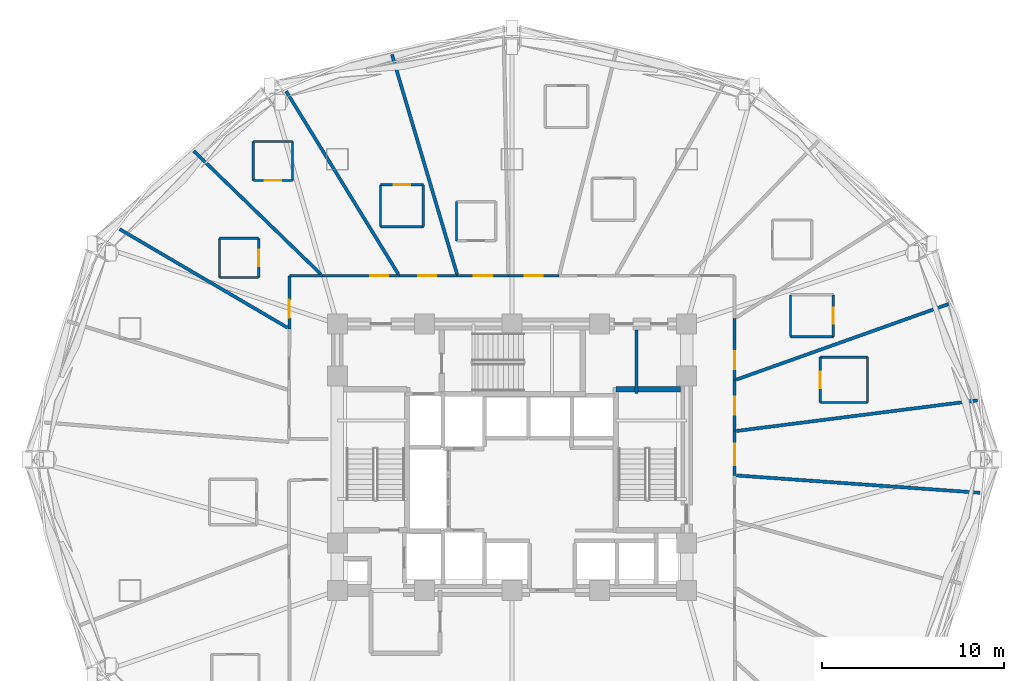
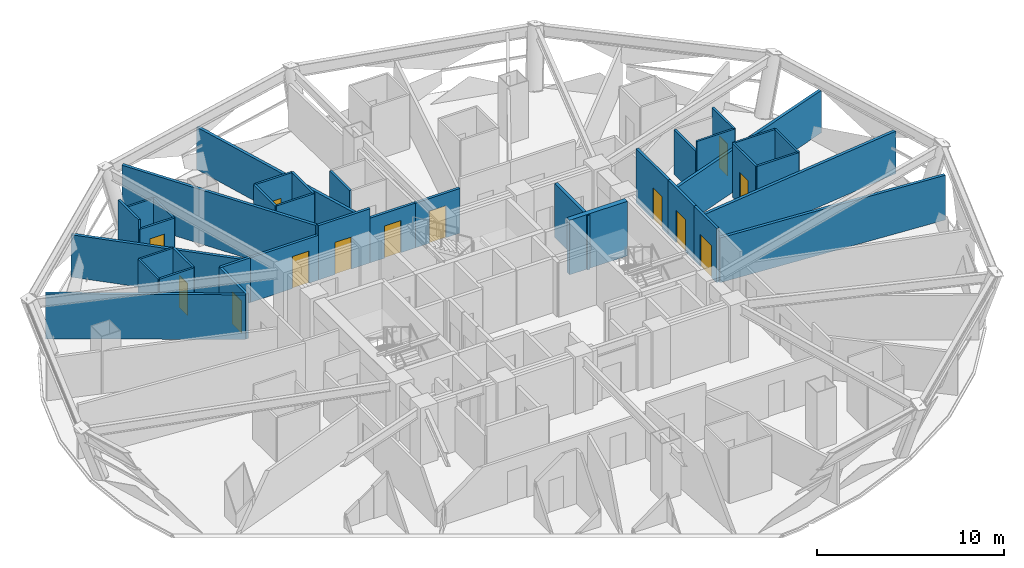
# One storey, part 7 of 12: 38 walls, 13 doors, 13 openings.
"""IFC4 building model written with IfcOpenShell, lengths in metres."""

import ifcopenshell
import ifcopenshell.guid

model = None  # the IFC model being written
_history = None  # IfcOwnerHistory: only IFC2X3 demands one
_inside = {}  # id of a spatial element -> (the spatial element, [elements in it])
_under = {}  # id of a project, library or spatial element -> (it, [spatial elements below it])
_declared = {}  # id of a project -> (the project, [libraries it declares])
_typed = {}  # id of a type object -> (the type object, [elements of that type])
_made_of = {}  # id of a material, layer set ... -> (it, [elements and type objects made of it])


def new_model(schema):
    """Start an empty IFC model of exactly this schema.

    Asked for "IFC4X3", IfcOpenShell would pick the latest addendum, in which some entities
    have other attributes; the version numbers below select the first issue.
    IFC2X3 requires an IfcOwnerHistory on every rooted entity: one is made here for all.
    """
    global model, _history
    if schema == "IFC4X3":
        model = ifcopenshell.file(schema_version=(4, 3, 0, 0))
    else:
        model = ifcopenshell.file(schema=schema)
    _inside.clear()
    _under.clear()
    _declared.clear()
    _typed.clear()
    _made_of.clear()
    _history = None
    if model.schema == "IFC2X3":
        org = make("IfcOrganization", Name="unknown")
        user = make(
            "IfcPersonAndOrganization",
            ThePerson=make("IfcPerson", FamilyName="unknown"),
            TheOrganization=org,
        )
        app = make(
            "IfcApplication",
            ApplicationDeveloper=org,
            Version="unknown",
            ApplicationFullName="unknown",
            ApplicationIdentifier="unknown",
        )
        _history = make(
            "IfcOwnerHistory",
            OwningUser=user,
            OwningApplication=app,
            ChangeAction="ADDED",
            CreationDate=0,
        )
    return model


def make(cls, **values):
    """One entity of the class cls with the attributes given. An attribute that is None is left unset."""
    return model.create_entity(
        cls, **{name: value for name, value in values.items() if value is not None}
    )


def rooted(cls, **values):
    """An entity with a GlobalId (a new one), such as an element, a storey or a relation."""
    return make(cls, GlobalId=ifcopenshell.guid.new(), OwnerHistory=_history, **values)


def si_unit(unit_type, name, prefix=None):
    """IfcSIUnit, for example si_unit("LENGTHUNIT", "METRE", prefix="MILLI")."""
    return make("IfcSIUnit", UnitType=unit_type, Prefix=prefix, Name=name)


def assignment(units):
    """IfcUnitAssignment: the units of a project."""
    return None if units is None else make("IfcUnitAssignment", Units=units)


def point(xyz):
    """IfcCartesianPoint."""
    return None if xyz is None else make("IfcCartesianPoint", Coordinates=xyz)


def direction(xyz):
    """IfcDirection."""
    return None if xyz is None else make("IfcDirection", DirectionRatios=xyz)


def frame(location, z_axis=None, x_axis=None):
    """IfcAxis2Placement3D, a coordinate frame: its origin and axes. An axis left out is left unset."""
    return make(
        "IfcAxis2Placement3D",
        Location=point(location),
        Axis=direction(z_axis),
        RefDirection=direction(x_axis),
    )


def frame_2d(location, x_axis=None):
    """IfcAxis2Placement2D, a coordinate frame in the plane: its origin and x axis."""
    return make(
        "IfcAxis2Placement2D", Location=point(location), RefDirection=direction(x_axis)
    )


def origin():
    """The frame at (0, 0, 0) with its axes left unset."""
    return frame((0.0, 0.0, 0.0))


def place(relative_to, where):
    """IfcLocalPlacement: puts the frame where relative to a parent placement (None: the world)."""
    return make(
        "IfcLocalPlacement", PlacementRelTo=relative_to, RelativePlacement=where
    )


def context(
    kind, dimensions, precision=None, world=None, true_north=None, identifier=None
):
    """IfcGeometricRepresentationContext, for example the 3D "Model" context."""
    return make(
        "IfcGeometricRepresentationContext",
        ContextIdentifier=identifier,
        ContextType=kind,
        CoordinateSpaceDimension=dimensions,
        Precision=precision,
        WorldCoordinateSystem=world,
        TrueNorth=true_north,
    )


def subcontext(parent, identifier, kind, view, scale=None):
    """IfcGeometricRepresentationSubContext, for example "Body" below "Model"."""
    return make(
        "IfcGeometricRepresentationSubContext",
        ContextIdentifier=identifier,
        ContextType=kind,
        ParentContext=parent,
        TargetScale=scale,
        TargetView=view,
    )


def project(units=None, contexts=None):
    """IfcProject with its units and contexts."""
    return rooted(
        "IfcProject",
        Name="project",
        RepresentationContexts=contexts,
        UnitsInContext=assignment(units),
    )


def spatial(cls, under=None, at=None, **own):
    """A site, building, storey or space (cls), placed at a placement, below another one or the project."""
    s = rooted(cls, ObjectPlacement=at, **own)
    if under is not None:
        _under.setdefault(under.id(), (under, []))[1].append(s)
    return s


def profile(cls, at=None, kind="AREA", **sizes):
    """A parametric profile (cls). Its sizes go by their IFC names, for example OverallWidth=200.0."""
    return make(cls, ProfileType=kind, Position=at, **sizes)


def rectangle(**sizes):
    """IfcRectangleProfileDef."""
    return profile("IfcRectangleProfileDef", **sizes)


def extrude(swept, where, along, depth):
    """IfcExtrudedAreaSolid: the profile swept, set in the frame where, extruded along a direction by depth."""
    return make(
        "IfcExtrudedAreaSolid",
        SweptArea=swept,
        Position=where,
        ExtrudedDirection=direction(along),
        Depth=depth,
    )


def shape(context_of_items, identifier, shape_type, items):
    """IfcShapeRepresentation: the items that make up one representation, for example the "Body"."""
    return make(
        "IfcShapeRepresentation",
        ContextOfItems=context_of_items,
        RepresentationIdentifier=identifier,
        RepresentationType=shape_type,
        Items=items,
    )


def material(Name=None, Category=None):
    """IfcMaterial."""
    return make("IfcMaterial", Name=Name, Category=Category)


def layer(
    of_material, thickness, ventilated=None, Name=None, Category=None, Priority=None
):
    """IfcMaterialLayer: one layer of a wall or slab, of a material (None: an air gap)."""
    return make(
        "IfcMaterialLayer",
        Material=of_material,
        LayerThickness=thickness,
        IsVentilated=ventilated,
        Name=Name,
        Category=Category,
        Priority=Priority,
    )


def layer_set(layers, Name=None):
    """IfcMaterialLayerSet."""
    return make("IfcMaterialLayerSet", MaterialLayers=layers, LayerSetName=Name)


def made_of(thing, what):
    """Note that an element or type object is made of a material, layer set ...; save() writes the relation."""
    if what is not None:
        _made_of.setdefault(what.id(), (what, []))[1].append(thing)
    return thing


def type_object(cls, material=None, **own):
    """A type object (cls), such as IfcWallType, which elements share."""
    return made_of(rooted(cls, **own), material)


def element(
    cls,
    number,
    at=None,
    inside=None,
    cuts=None,
    type_object=None,
    material=None,
    context=None,
    identifier="Body",
    shape_type=None,
    held_by="IfcProductDefinitionShape",
    body=None,
    shapes=None,
    **own,
):
    """One element of the class cls, such as IfcWall. Its Tag is "e" and its number.

    at: its placement. inside: the storey or other place that contains it. cuts: it is an
    opening in that element (IfcRelVoidsElement). A single representation is given by context,
    identifier, shape_type and body (its items); several are given by shapes. held_by: the class
    of the entity that holds the representations. save() writes the other relations.
    """
    e = rooted(cls, Tag="e%d" % number, ObjectPlacement=at, **own)
    if body is not None:
        shapes = [shape(context, identifier, shape_type, body)]
    if shapes is not None:
        e.Representation = make(held_by, Representations=shapes)
    if inside is not None:
        _inside.setdefault(inside.id(), (inside, []))[1].append(e)
    if cuts is not None:
        rooted(
            "IfcRelVoidsElement", RelatingBuildingElement=cuts, RelatedOpeningElement=e
        )
    if type_object is not None:
        _typed.setdefault(type_object.id(), (type_object, []))[1].append(e)
    return made_of(e, material)


def fill(opening, filler):
    """IfcRelFillsElement: the door or window that sits in an opening."""
    return rooted(
        "IfcRelFillsElement",
        RelatingOpeningElement=opening,
        RelatedBuildingElement=filler,
    )


def aggregate(whole, parts):
    """IfcRelAggregates: a whole, such as a stair, and the parts it consists of."""
    return rooted("IfcRelAggregates", RelatingObject=whole, RelatedObjects=parts)


def save(model, path):
    """Write the relations noted so far, then the file.

    IfcRelAggregates (storeys below a building ...), IfcRelContainedInSpatialStructure (elements
    in a storey), IfcRelDefinesByType, IfcRelAssociatesMaterial and IfcRelDeclares: one each for
    every whole, place, type object, material and project.
    """
    for whole, parts in _under.values():
        aggregate(whole, parts)
    for where, things in _inside.values():
        rooted(
            "IfcRelContainedInSpatialStructure",
            RelatedElements=things,
            RelatingStructure=where,
        )
    for kind, things in _typed.values():
        rooted("IfcRelDefinesByType", RelatedObjects=things, RelatingType=kind)
    for what, things in _made_of.values():
        rooted("IfcRelAssociatesMaterial", RelatedObjects=things, RelatingMaterial=what)
    for by, libraries in _declared.values():
        rooted("IfcRelDeclares", RelatingContext=by, RelatedDefinitions=libraries)
    model.write(path)


model = new_model("IFC4")

# Units and contexts
model_context = context("Model", 3, precision=1e-05, world=origin(), true_north=direction((0.0, 1.0)))
body_context = subcontext(model_context, "Body", "Model", "MODEL_VIEW")
ifc_project = project(units=[si_unit("LENGTHUNIT", "METRE"), si_unit("AREAUNIT", "SQUARE_METRE"), si_unit("VOLUMEUNIT", "CUBIC_METRE"), si_unit("PLANEANGLEUNIT", "RADIAN"), si_unit("MASSUNIT", "GRAM", prefix="KILO")], contexts=[model_context])

# Site, building, storey
site_placement = place(None, origin())
site = spatial("IfcSite", under=ifc_project, at=site_placement, CompositionType="ELEMENT")
building_placement = place(site_placement, origin())
building = spatial("IfcBuilding", under=site, at=building_placement, Name="Vantalir Tower", CompositionType="ELEMENT")
storey_placement = place(building_placement, frame((0.0, 0.0, 38.25)))
storey = spatial("IfcBuildingStorey", under=building, at=storey_placement, Name="L08", CompositionType="ELEMENT", Elevation=38.25)

# Walls
ifc_material_1 = material(Name="Moisture-resistant en-suite partition", Category="gypsum")
ifc_layer_1 = layer(ifc_material_1, 0.125)
ifc_layer_set_1 = layer_set([ifc_layer_1], Name="Moisture-resistant en-suite partition")
wall_type_1 = type_object("IfcWallType", Name="WL-BATH-125", PredefinedType="PARTITIONING", material=ifc_layer_set_1)
for number, where, z_axis, x_axis, name in (
    (1, (48.445068359375, 28.1259765625, 0.0), (0.0, 0.0, 1.0), (1.0, 0.0, 0.0), "L08 En-suite 01 South Wall"),
    (2, (48.445068359375, 30.6259765625, 0.0), (0.0, 0.0, 1.0), (1.0, 0.0, 0.0), "L08 En-suite 01 North Wall"),
):
    element("IfcWall", number, at=place(storey_placement, frame(where, z_axis=z_axis, x_axis=x_axis)), inside=storey, type_object=wall_type_1, Name=name, PredefinedType="PARTITIONING", context=body_context, shape_type="SweptSolid", body=[
        extrude(rectangle(XDim=2.599853515625, YDim=0.125, at=frame_2d((1.2998046875, 0.0))), origin(), (0.0, 0.0, 1.0), 3.550048828125),
    ])

# Wall, opening, door
wall_1_placement = place(storey_placement, frame((48.445068359375, 28.1259765625, 0.0), z_axis=(0.0, 0.0, 1.0), x_axis=(0.0, 1.0, 0.0)))
wall_1 = element("IfcWall", 3, at=wall_1_placement, inside=storey, type_object=wall_type_1, Name="L08 En-suite 01 West Wall", PredefinedType="PARTITIONING", context=body_context, shape_type="SweptSolid", body=[
    extrude(rectangle(XDim=2.5, YDim=0.125, at=frame_2d((1.25, 0.0))), origin(), (0.0, 0.0, 1.0), 3.550048828125),
])
opening_1_placement = place(wall_1_placement, frame((0.800048828125, 0.0, 0.0)))
opening_1 = element("IfcOpeningElement", 4, at=opening_1_placement, cuts=wall_1, Name="Opening D-WC", PredefinedType="OPENING", context=body_context, shape_type="SweptSolid", body=[
    extrude(rectangle(XDim=0.89990234375, YDim=2.10009765625, at=frame_2d((0.449951171875, 1.050048828125))), frame((0.0, 0.072509765625, 0.0), z_axis=(0.0, -1.0, 0.0), x_axis=(1.0, 0.0, 0.0)), (0.0, 0.0, 1.0), 0.14501953125),
])
ifc_material_2 = material(Name="Moisture-resistant hardwood door", Category="wood")
door_type_1 = type_object("IfcDoorType", Name="DR-ENSUITE-900", OperationType="NOTDEFINED", PredefinedType="DOOR", material=ifc_material_2)
door_1_placement = place(opening_1_placement, frame((0.89990234375, 0.0, 0.0), z_axis=(0.0, 0.0, 1.0), x_axis=(-1.0, 0.0, 0.0)))
door_1 = element("IfcDoor", 5, at=door_1_placement, inside=storey, type_object=door_type_1, Name="L08 En-suite 01 Door", OperationType="SINGLE_SWING_RIGHT", OverallHeight=2.10009765625, OverallWidth=0.89990234375, PredefinedType="DOOR", context=body_context, shape_type="SweptSolid", body=[
    extrude(rectangle(XDim=0.89990234375, YDim=2.10009765625, at=frame_2d((0.449951171875, 1.050048828125))), frame((0.0, 0.02490234375, 0.0), z_axis=(0.0, -1.0, 0.0), x_axis=(1.0, 0.0, 0.0)), (0.0, 0.0, 1.0), 0.050048828125),
])
fill(opening_1, door_1)

# Walls
wall_2_placement = place(storey_placement, frame((51.044921875, 28.1259765625, 0.0), z_axis=(0.0, 0.0, 1.0), x_axis=(0.0, 1.0, 0.0)))
element("IfcWall", 6, at=wall_2_placement, inside=storey, type_object=wall_type_1, Name="L08 En-suite 01 East Wall", PredefinedType="PARTITIONING", context=body_context, shape_type="SweptSolid", body=[
    extrude(rectangle(XDim=2.5, YDim=0.125, at=frame_2d((1.25, 0.0))), origin(), (0.0, 0.0, 1.0), 3.550048828125),
])
wall_3_placement = place(storey_placement, frame((46.80908203125, 31.7509765625, 0.0), z_axis=(0.0, 0.0, 1.0), x_axis=(1.0, 0.0, 0.0)))
element("IfcWall", 7, at=wall_3_placement, inside=storey, type_object=wall_type_1, Name="L08 En-suite 02 South Wall", PredefinedType="PARTITIONING", context=body_context, shape_type="SweptSolid", body=[
    extrude(rectangle(XDim=2.349853515625, YDim=0.125, at=frame_2d((1.1748046875, 0.0))), origin(), (0.0, 0.0, 1.0), 3.550048828125),
])
wall_4_placement = place(storey_placement, frame((46.80908203125, 31.7509765625, 0.0), z_axis=(0.0, 0.0, 1.0), x_axis=(0.0, 1.0, 0.0)))
element("IfcWall", 8, at=wall_4_placement, inside=storey, type_object=wall_type_1, Name="L08 En-suite 02 West Wall", PredefinedType="PARTITIONING", context=body_context, shape_type="SweptSolid", body=[
    extrude(rectangle(XDim=2.300048828125, YDim=0.125, at=frame_2d((1.14990234375, 0.0))), origin(), (0.0, 0.0, 1.0), 2.927978515625),
])

# Wall, opening, door
wall_5_placement = place(storey_placement, frame((49.158935546875, 31.7509765625, 0.0), z_axis=(0.0, 0.0, 1.0), x_axis=(0.0, 1.0, 0.0)))
wall_5 = element("IfcWall", 9, at=wall_5_placement, inside=storey, type_object=wall_type_1, Name="L08 En-suite 02 East Wall", PredefinedType="PARTITIONING", context=body_context, shape_type="SweptSolid", body=[
    extrude(rectangle(XDim=2.300048828125, YDim=0.125, at=frame_2d((1.14990234375, 0.0))), origin(), (0.0, 0.0, 1.0), 3.550048828125),
])
opening_2_placement = place(wall_5_placement, frame((0.699951171875, 0.0, 0.0)))
opening_2 = element("IfcOpeningElement", 10, at=opening_2_placement, cuts=wall_5, Name="Opening D-WC", PredefinedType="OPENING", context=body_context, shape_type="SweptSolid", body=[
    extrude(rectangle(XDim=0.89990234375, YDim=2.10009765625, at=frame_2d((0.449951171875, 1.050048828125))), frame((0.0, 0.072509765625, 0.0), z_axis=(0.0, -1.0, 0.0), x_axis=(1.0, 0.0, 0.0)), (0.0, 0.0, 1.0), 0.14501953125),
])
door_2_placement = place(opening_2_placement, origin())
door_2 = element("IfcDoor", 11, at=door_2_placement, inside=storey, type_object=door_type_1, Name="L08 En-suite 02 Door", OperationType="SINGLE_SWING_LEFT", OverallHeight=2.10009765625, OverallWidth=0.89990234375, PredefinedType="DOOR", context=body_context, shape_type="SweptSolid", body=[
    extrude(rectangle(XDim=0.89990234375, YDim=2.10009765625, at=frame_2d((0.449951171875, 1.050048828125))), frame((0.0, 0.02490234375, 0.0), z_axis=(0.0, -1.0, 0.0), x_axis=(1.0, 0.0, 0.0)), (0.0, 0.0, 1.0), 0.050048828125),
])
fill(opening_2, door_2)

# Walls
wall_6_placement = place(storey_placement, frame((28.455078125, 37.02001953125, 0.0), z_axis=(0.0, 0.0, 1.0), x_axis=(0.0, 1.0, 0.0)))
element("IfcWall", 12, at=wall_6_placement, inside=storey, type_object=wall_type_1, Name="L08 En-suite 07 West Wall", PredefinedType="PARTITIONING", context=body_context, shape_type="SweptSolid", body=[
    extrude(rectangle(XDim=2.14990234375, YDim=0.125, at=frame_2d((1.074951171875, 0.0))), origin(), (0.0, 0.0, 1.0), 3.550048828125),
])
wall_7_placement = place(storey_placement, frame((24.27294921875, 37.798095703125, 0.0), z_axis=(0.0, 0.0, 1.0), x_axis=(1.0, 0.0, 0.0)))
element("IfcWall", 13, at=wall_7_placement, inside=storey, type_object=wall_type_1, Name="L08 En-suite 08 South Wall", PredefinedType="PARTITIONING", context=body_context, shape_type="SweptSolid", body=[
    extrude(rectangle(XDim=2.35009765625, YDim=0.125, at=frame_2d((1.175048828125, 0.0))), origin(), (0.0, 0.0, 1.0), 3.550048828125),
])

# Wall, opening, door
wall_8_placement = place(storey_placement, frame((24.27294921875, 40.097900390625, 0.0), z_axis=(0.0, 0.0, 1.0), x_axis=(1.0, 0.0, 0.0)))
wall_8 = element("IfcWall", 14, at=wall_8_placement, inside=storey, type_object=wall_type_1, Name="L08 En-suite 08 North Wall", PredefinedType="PARTITIONING", context=body_context, shape_type="SweptSolid", body=[
    extrude(rectangle(XDim=2.35009765625, YDim=0.125, at=frame_2d((1.175048828125, 0.0))), origin(), (0.0, 0.0, 1.0), 3.550048828125),
])
opening_3_placement = place(wall_8_placement, frame((0.72509765625, 0.0, 0.0)))
opening_3 = element("IfcOpeningElement", 15, at=opening_3_placement, cuts=wall_8, Name="Opening D-WC", PredefinedType="OPENING", context=body_context, shape_type="SweptSolid", body=[
    extrude(rectangle(XDim=0.89990234375, YDim=2.10009765625, at=frame_2d((0.449951171875, 1.050048828125))), frame((0.0, 0.072509765625, 0.0), z_axis=(0.0, -1.0, 0.0), x_axis=(1.0, 0.0, 0.0)), (0.0, 0.0, 1.0), 0.14501953125),
])
door_3_placement = place(opening_3_placement, frame((0.89990234375, 0.0, 0.0), z_axis=(0.0, 0.0, 1.0), x_axis=(-1.0, 0.0, 0.0)))
door_3 = element("IfcDoor", 16, at=door_3_placement, inside=storey, type_object=door_type_1, Name="L08 En-suite 08 Door", OperationType="SINGLE_SWING_LEFT", OverallHeight=2.10009765625, OverallWidth=0.89990234375, PredefinedType="DOOR", context=body_context, shape_type="SweptSolid", body=[
    extrude(rectangle(XDim=0.89990234375, YDim=2.10009765625, at=frame_2d((0.449951171875, 1.050048828125))), frame((0.0, 0.02490234375, 0.0), z_axis=(0.0, -1.0, 0.0), x_axis=(1.0, 0.0, 0.0)), (0.0, 0.0, 1.0), 0.050048828125),
])
fill(opening_3, door_3)

# Walls
for number, where, z_axis, x_axis, name in (
    (17, (24.27294921875, 37.798095703125, 0.0), (0.0, 0.0, 1.0), (0.0, 1.0, 0.0), "L08 En-suite 08 West Wall"),
    (18, (26.623046875, 37.798095703125, 0.0), (0.0, 0.0, 1.0), (0.0, 1.0, 0.0), "L08 En-suite 08 East Wall"),
):
    element("IfcWall", number, at=place(storey_placement, frame(where, z_axis=z_axis, x_axis=x_axis)), inside=storey, type_object=wall_type_1, Name=name, PredefinedType="PARTITIONING", context=body_context, shape_type="SweptSolid", body=[
        extrude(rectangle(XDim=2.2998046875, YDim=0.125, at=frame_2d((1.14990234375, 0.0))), origin(), (0.0, 0.0, 1.0), 3.550048828125),
    ])

# Wall, opening, door
wall_9_placement = place(storey_placement, frame((17.284912109375, 40.333984375, 0.0), z_axis=(0.0, 0.0, 1.0), x_axis=(1.0, 0.0, 0.0)))
wall_9 = element("IfcWall", 19, at=wall_9_placement, inside=storey, type_object=wall_type_1, Name="L08 En-suite 09 South Wall", PredefinedType="PARTITIONING", context=body_context, shape_type="SweptSolid", body=[
    extrude(rectangle(XDim=2.150146484375, YDim=0.125, at=frame_2d((1.0751953125, 0.0))), origin(), (0.0, 0.0, 1.0), 2.927978515625),
])
opening_4_placement = place(wall_9_placement, frame((0.625, 0.0, 0.0)))
opening_4 = element("IfcOpeningElement", 20, at=opening_4_placement, cuts=wall_9, Name="Opening D-WC", PredefinedType="OPENING", context=body_context, shape_type="SweptSolid", body=[
    extrude(rectangle(XDim=0.89990234375, YDim=2.10009765625, at=frame_2d((0.449951171875, 1.050048828125))), frame((0.0, 0.072509765625, 0.0), z_axis=(0.0, -1.0, 0.0), x_axis=(1.0, 0.0, 0.0)), (0.0, 0.0, 1.0), 0.14501953125),
])
door_4_placement = place(opening_4_placement, origin())
door_4 = element("IfcDoor", 21, at=door_4_placement, inside=storey, type_object=door_type_1, Name="L08 En-suite 09 Door", OperationType="SINGLE_SWING_RIGHT", OverallHeight=2.10009765625, OverallWidth=0.89990234375, PredefinedType="DOOR", context=body_context, shape_type="SweptSolid", body=[
    extrude(rectangle(XDim=0.89990234375, YDim=2.10009765625, at=frame_2d((0.449951171875, 1.050048828125))), frame((0.0, 0.02490234375, 0.0), z_axis=(0.0, -1.0, 0.0), x_axis=(1.0, 0.0, 0.0)), (0.0, 0.0, 1.0), 0.050048828125),
])
fill(opening_4, door_4)

# Walls
wall_10_placement = place(storey_placement, frame((17.284912109375, 42.48388671875, 0.0), z_axis=(0.0, 0.0, 1.0), x_axis=(1.0, 0.0, 0.0)))
element("IfcWall", 22, at=wall_10_placement, inside=storey, type_object=wall_type_1, Name="L08 En-suite 09 North Wall", PredefinedType="PARTITIONING", context=body_context, shape_type="SweptSolid", body=[
    extrude(rectangle(XDim=2.150146484375, YDim=0.125, at=frame_2d((1.0751953125, 0.0))), origin(), (0.0, 0.0, 1.0), 2.927978515625),
])
wall_11_placement = place(storey_placement, frame((17.284912109375, 40.333984375, 0.0), z_axis=(0.0, 0.0, 1.0), x_axis=(0.0, 1.0, 0.0)))
element("IfcWall", 23, at=wall_11_placement, inside=storey, type_object=wall_type_1, Name="L08 En-suite 09 West Wall", PredefinedType="PARTITIONING", context=body_context, shape_type="SweptSolid", body=[
    extrude(rectangle(XDim=2.14990234375, YDim=0.125, at=frame_2d((1.074951171875, 0.0))), origin(), (0.0, 0.0, 1.0), 3.550048828125),
])
wall_12_placement = place(storey_placement, frame((19.43505859375, 40.333984375, 0.0), z_axis=(0.0, 0.0, 1.0), x_axis=(0.0, 1.0, 0.0)))
element("IfcWall", 24, at=wall_12_placement, inside=storey, type_object=wall_type_1, Name="L08 En-suite 09 East Wall", PredefinedType="PARTITIONING", context=body_context, shape_type="SweptSolid", body=[
    extrude(rectangle(XDim=2.14990234375, YDim=0.125, at=frame_2d((1.074951171875, 0.0))), origin(), (0.0, 0.0, 1.0), 2.927978515625),
])
for number, where, z_axis, x_axis, name in (
    (25, (15.423095703125, 35.008056640625, 0.0), (0.0, 0.0, 1.0), (1.0, 0.0, 0.0), "L08 En-suite 10 South Wall"),
    (26, (15.423095703125, 37.157958984375, 0.0), (0.0, 0.0, 1.0), (1.0, 0.0, 0.0), "L08 En-suite 10 North Wall"),
    (27, (15.423095703125, 35.008056640625, 0.0), (0.0, 0.0, 1.0), (0.0, 1.0, 0.0), "L08 En-suite 10 West Wall"),
):
    element("IfcWall", number, at=place(storey_placement, frame(where, z_axis=z_axis, x_axis=x_axis)), inside=storey, type_object=wall_type_1, Name=name, PredefinedType="PARTITIONING", context=body_context, shape_type="SweptSolid", body=[
        extrude(rectangle(XDim=2.14990234375, YDim=0.125, at=frame_2d((1.074951171875, 0.0))), origin(), (0.0, 0.0, 1.0), 3.550048828125),
    ])

# Wall, opening, door
wall_13_placement = place(storey_placement, frame((17.572998046875, 35.008056640625, 0.0), z_axis=(0.0, 0.0, 1.0), x_axis=(0.0, 1.0, 0.0)))
wall_13 = element("IfcWall", 28, at=wall_13_placement, inside=storey, type_object=wall_type_1, Name="L08 En-suite 10 East Wall", PredefinedType="PARTITIONING", context=body_context, shape_type="SweptSolid", body=[
    extrude(rectangle(XDim=2.14990234375, YDim=0.125, at=frame_2d((1.074951171875, 0.0))), origin(), (0.0, 0.0, 1.0), 3.550048828125),
])
opening_5_placement = place(wall_13_placement, frame((0.625, 0.0, 0.0)))
opening_5 = element("IfcOpeningElement", 29, at=opening_5_placement, cuts=wall_13, Name="Opening D-WC", PredefinedType="OPENING", context=body_context, shape_type="SweptSolid", body=[
    extrude(rectangle(XDim=0.89990234375, YDim=2.10009765625, at=frame_2d((0.449951171875, 1.050048828125))), frame((0.0, 0.072509765625, 0.0), z_axis=(0.0, -1.0, 0.0), x_axis=(1.0, 0.0, 0.0)), (0.0, 0.0, 1.0), 0.14501953125),
])
door_5_placement = place(opening_5_placement, origin())
door_5 = element("IfcDoor", 30, at=door_5_placement, inside=storey, type_object=door_type_1, Name="L08 En-suite 10 Door", OperationType="SINGLE_SWING_LEFT", OverallHeight=2.10009765625, OverallWidth=0.89990234375, PredefinedType="DOOR", context=body_context, shape_type="SweptSolid", body=[
    extrude(rectangle(XDim=0.89990234375, YDim=2.10009765625, at=frame_2d((0.449951171875, 1.050048828125))), frame((0.0, 0.02490234375, 0.0), z_axis=(0.0, -1.0, 0.0), x_axis=(1.0, 0.0, 0.0)), (0.0, 0.0, 1.0), 0.050048828125),
])
fill(opening_5, door_5)

ifc_material_3 = material(Name="Fire-rated hotel corridor acoustic partition", Category="gypsum")
ifc_layer_2 = layer(ifc_material_3, 0.159912109375)
ifc_layer_set_2 = layer_set([ifc_layer_2], Name="Fire-rated hotel corridor acoustic partition")
wall_type_2 = type_object("IfcWallType", Name="WL-CORR-160", PredefinedType="PARTITIONING", material=ifc_layer_set_2)
wall_14_placement = place(storey_placement, frame((19.261962890625, 32.18408203125, 0.0), z_axis=(0.0, 0.0, 1.0), x_axis=(0.002429821063, 0.99999704798, 0.0)))
wall_14 = element("IfcWall", 31, at=wall_14_placement, inside=storey, type_object=wall_type_2, Name="L08 Corridor Partition 04", PredefinedType="PARTITIONING", context=body_context, shape_type="SweptSolid", body=[
    extrude(rectangle(XDim=2.913818359375, YDim=0.159912109375, at=frame_2d((1.45703125, 0.0))), origin(), (0.0, 0.0, 1.0), 2.927978515625),
])
opening_6_placement = place(wall_14_placement, frame((0.594970703125, 0.0, 0.0)))
opening_6 = element("IfcOpeningElement", 32, at=opening_6_placement, cuts=wall_14, Name="Opening D-GUEST", PredefinedType="OPENING", context=body_context, shape_type="SweptSolid", body=[
    extrude(rectangle(XDim=1.0, YDim=2.10009765625, at=frame_2d((0.5, 1.050048828125))), frame((0.0, 0.08984375, 0.0), z_axis=(0.0, -1.0, 0.0), x_axis=(1.0, 0.0, 0.0)), (0.0, 0.0, 1.0), 0.179931640625),
])
ifc_material_4 = material(Name="Solid-core teak veneer acoustic fire door", Category="wood")
door_type_2 = type_object("IfcDoorType", Name="DR-GUEST-ENTRY-1000", OperationType="NOTDEFINED", PredefinedType="DOOR", material=ifc_material_4)
door_6_placement = place(opening_6_placement, origin())
door_6 = element("IfcDoor", 33, at=door_6_placement, inside=storey, type_object=door_type_2, Name="L08 Deluxe King Hotel Room 10 Door", OperationType="SINGLE_SWING_RIGHT", OverallHeight=2.10009765625, OverallWidth=1.0, PredefinedType="DOOR", context=body_context, shape_type="SweptSolid", body=[
    extrude(rectangle(XDim=1.0, YDim=2.10009765625, at=frame_2d((0.5, 1.050048828125))), frame((0.0, 0.02490234375, 0.0), z_axis=(0.0, -1.0, 0.0), x_axis=(1.0, 0.0, 0.0)), (0.0, 0.0, 1.0), 0.050048828125),
])
fill(opening_6, door_6)

# Wall
wall_15_placement = place(storey_placement, frame((19.26904296875, 35.097900390625, 0.0), z_axis=(0.0, 0.0, 1.0), x_axis=(1.0, 0.0, 0.0)))
element("IfcWall", 34, at=wall_15_placement, inside=storey, type_object=wall_type_2, Name="L08 Corridor Partition 05", PredefinedType="PARTITIONING", context=body_context, shape_type="SweptSolid", body=[
    extrude(rectangle(XDim=1.81396484375, YDim=0.159912109375, at=frame_2d((0.906982421875, 0.0))), origin(), (0.0, 0.0, 1.0), 2.927978515625),
])

# Wall, opening, door
wall_16_placement = place(storey_placement, frame((21.0830078125, 35.097900390625, 0.0), z_axis=(0.0, 0.0, 1.0), x_axis=(1.0, 0.0, 0.0)))
wall_16 = element("IfcWall", 35, at=wall_16_placement, inside=storey, type_object=wall_type_2, Name="L08 Corridor Partition 06", PredefinedType="PARTITIONING", context=body_context, shape_type="SweptSolid", body=[
    extrude(rectangle(XDim=4.22509765625, YDim=0.159912109375, at=frame_2d((2.112548828125, 0.0))), origin(), (0.0, 0.0, 1.0), 2.927978515625),
])
opening_7_placement = place(wall_16_placement, frame((2.62890625, 0.0, 0.0)))
opening_7 = element("IfcOpeningElement", 36, at=opening_7_placement, cuts=wall_16, Name="Opening D-GUEST", PredefinedType="OPENING", context=body_context, shape_type="SweptSolid", body=[
    extrude(rectangle(XDim=1.0, YDim=2.10009765625, at=frame_2d((0.5, 1.050048828125))), frame((0.0, 0.08984375, 0.0), z_axis=(0.0, -1.0, 0.0), x_axis=(1.0, 0.0, 0.0)), (0.0, 0.0, 1.0), 0.179931640625),
])
door_7_placement = place(opening_7_placement, origin())
door_7 = element("IfcDoor", 37, at=door_7_placement, inside=storey, type_object=door_type_2, Name="L08 Twin Queen Hotel Room 09 Door", OperationType="SINGLE_SWING_LEFT", OverallHeight=2.10009765625, OverallWidth=1.0, PredefinedType="DOOR", context=body_context, shape_type="SweptSolid", body=[
    extrude(rectangle(XDim=1.0, YDim=2.10009765625, at=frame_2d((0.5, 1.050048828125))), frame((0.0, 0.02490234375, 0.0), z_axis=(0.0, -1.0, 0.0), x_axis=(1.0, 0.0, 0.0)), (0.0, 0.0, 1.0), 0.050048828125),
])
fill(opening_7, door_7)

wall_17_placement = place(storey_placement, frame((25.30810546875, 35.097900390625, 0.0), z_axis=(0.0, 0.0, 1.0), x_axis=(1.0, 0.0, 0.0)))
wall_17 = element("IfcWall", 38, at=wall_17_placement, inside=storey, type_object=wall_type_2, Name="L08 Corridor Partition 07", PredefinedType="PARTITIONING", context=body_context, shape_type="SweptSolid", body=[
    extrude(rectangle(XDim=3.198974609375, YDim=0.159912109375, at=frame_2d((1.599609375, 0.0))), origin(), (0.0, 0.0, 1.0), 3.550048828125),
])
opening_8_placement = place(wall_17_placement, frame((1.027099609375, 0.0, 0.0)))
opening_8 = element("IfcOpeningElement", 39, at=opening_8_placement, cuts=wall_17, Name="Opening D-GUEST", PredefinedType="OPENING", context=body_context, shape_type="SweptSolid", body=[
    extrude(rectangle(XDim=1.0, YDim=2.10009765625, at=frame_2d((0.5, 1.050048828125))), frame((0.0, 0.08984375, 0.0), z_axis=(0.0, -1.0, 0.0), x_axis=(1.0, 0.0, 0.0)), (0.0, 0.0, 1.0), 0.179931640625),
])
door_8_placement = place(opening_8_placement, origin())
door_8 = element("IfcDoor", 40, at=door_8_placement, inside=storey, type_object=door_type_2, Name="L08 Twin Queen Hotel Room 08 Door", OperationType="SINGLE_SWING_RIGHT", OverallHeight=2.10009765625, OverallWidth=1.0, PredefinedType="DOOR", context=body_context, shape_type="SweptSolid", body=[
    extrude(rectangle(XDim=1.0, YDim=2.10009765625, at=frame_2d((0.5, 1.050048828125))), frame((0.0, 0.02490234375, 0.0), z_axis=(0.0, -1.0, 0.0), x_axis=(1.0, 0.0, 0.0)), (0.0, 0.0, 1.0), 0.050048828125),
])
fill(opening_8, door_8)

wall_18_placement = place(storey_placement, frame((28.507080078125, 35.097900390625, 0.0), z_axis=(0.0, 0.0, 1.0), x_axis=(1.0, 0.0, 0.0)))
wall_18 = element("IfcWall", 41, at=wall_18_placement, inside=storey, type_object=wall_type_2, Name="L08 Corridor Partition 08", PredefinedType="PARTITIONING", context=body_context, shape_type="SweptSolid", body=[
    extrude(rectangle(XDim=2.7978515625, YDim=0.159912109375, at=frame_2d((1.39892578125, 0.0))), origin(), (0.0, 0.0, 1.0), 2.927978515625),
])
opening_9_placement = place(wall_18_placement, frame((0.89892578125, 0.0, 0.0)))
opening_9 = element("IfcOpeningElement", 42, at=opening_9_placement, cuts=wall_18, Name="Opening D-GUEST", PredefinedType="OPENING", context=body_context, shape_type="SweptSolid", body=[
    extrude(rectangle(XDim=1.0, YDim=2.10009765625, at=frame_2d((0.5, 1.050048828125))), frame((0.0, 0.08984375, 0.0), z_axis=(0.0, -1.0, 0.0), x_axis=(1.0, 0.0, 0.0)), (0.0, 0.0, 1.0), 0.179931640625),
])
door_9_placement = place(opening_9_placement, origin())
door_9 = element("IfcDoor", 43, at=door_9_placement, inside=storey, type_object=door_type_2, Name="L08 Deluxe King Hotel Room 07 Door", OperationType="SINGLE_SWING_LEFT", OverallHeight=2.10009765625, OverallWidth=1.0, PredefinedType="DOOR", context=body_context, shape_type="SweptSolid", body=[
    extrude(rectangle(XDim=1.0, YDim=2.10009765625, at=frame_2d((0.5, 1.050048828125))), frame((0.0, 0.02490234375, 0.0), z_axis=(0.0, -1.0, 0.0), x_axis=(1.0, 0.0, 0.0)), (0.0, 0.0, 1.0), 0.050048828125),
])
fill(opening_9, door_9)

wall_19_placement = place(storey_placement, frame((31.304931640625, 35.097900390625, 0.0), z_axis=(0.0, 0.0, 1.0), x_axis=(1.0, 0.0, 0.0)))
wall_19 = element("IfcWall", 44, at=wall_19_placement, inside=storey, type_object=wall_type_2, Name="L08 Corridor Partition 09", PredefinedType="PARTITIONING", context=body_context, shape_type="SweptSolid", body=[
    extrude(rectangle(XDim=2.774169921875, YDim=0.159912109375, at=frame_2d((1.38720703125, 0.0))), origin(), (0.0, 0.0, 1.0), 2.927978515625),
])
opening_10_placement = place(wall_19_placement, frame((0.886962890625, 0.0, 0.0)))
opening_10 = element("IfcOpeningElement", 45, at=opening_10_placement, cuts=wall_19, Name="Opening D-GUEST", PredefinedType="OPENING", context=body_context, shape_type="SweptSolid", body=[
    extrude(rectangle(XDim=1.0, YDim=2.10009765625, at=frame_2d((0.5, 1.050048828125))), frame((0.0, 0.08984375, 0.0), z_axis=(0.0, -1.0, 0.0), x_axis=(1.0, 0.0, 0.0)), (0.0, 0.0, 1.0), 0.179931640625),
])
door_10_placement = place(opening_10_placement, origin())
door_10 = element("IfcDoor", 46, at=door_10_placement, inside=storey, type_object=door_type_2, Name="L08 Deluxe King Hotel Room 06 Door", OperationType="SINGLE_SWING_RIGHT", OverallHeight=2.10009765625, OverallWidth=1.0, PredefinedType="DOOR", context=body_context, shape_type="SweptSolid", body=[
    extrude(rectangle(XDim=1.0, YDim=2.10009765625, at=frame_2d((0.5, 1.050048828125))), frame((0.0, 0.02490234375, 0.0), z_axis=(0.0, -1.0, 0.0), x_axis=(1.0, 0.0, 0.0)), (0.0, 0.0, 1.0), 0.050048828125),
])
fill(opening_10, door_10)

wall_20_placement = place(storey_placement, frame((43.73291015625, 32.742919921875, 0.0), z_axis=(0.0, 0.0, 1.0), x_axis=(0.000648742025, -0.999999789567, 0.0)))
wall_20 = element("IfcWall", 47, at=wall_20_placement, inside=storey, type_object=wall_type_2, Name="L08 Corridor Partition 14", PredefinedType="PARTITIONING", context=body_context, shape_type="SweptSolid", body=[
    extrude(rectangle(XDim=3.386962890625, YDim=0.159912109375, at=frame_2d((1.693359375, 0.0))), origin(), (0.0, 0.0, 1.0), 3.550048828125),
])
opening_11_placement = place(wall_20_placement, frame((1.783935546875, 0.0, 0.0)))
opening_11 = element("IfcOpeningElement", 48, at=opening_11_placement, cuts=wall_20, Name="Opening D-GUEST", PredefinedType="OPENING", context=body_context, shape_type="SweptSolid", body=[
    extrude(rectangle(XDim=1.0, YDim=2.10009765625, at=frame_2d((0.5, 1.050048828125))), frame((0.0, 0.08984375, 0.0), z_axis=(0.0, -1.0, 0.0), x_axis=(1.0, 0.0, 0.0)), (0.0, 0.0, 1.0), 0.179931640625),
])
door_11_placement = place(opening_11_placement, origin())
door_11 = element("IfcDoor", 49, at=door_11_placement, inside=storey, type_object=door_type_2, Name="L08 Deluxe King Hotel Room 02 Door", OperationType="SINGLE_SWING_RIGHT", OverallHeight=2.10009765625, OverallWidth=1.0, PredefinedType="DOOR", context=body_context, shape_type="SweptSolid", body=[
    extrude(rectangle(XDim=1.0, YDim=2.10009765625, at=frame_2d((0.5, 1.050048828125))), frame((0.0, 0.02490234375, 0.0), z_axis=(0.0, -1.0, 0.0), x_axis=(1.0, 0.0, 0.0)), (0.0, 0.0, 1.0), 0.050048828125),
])
fill(opening_11, door_11)

wall_21_placement = place(storey_placement, frame((43.735107421875, 29.35595703125, 0.0), z_axis=(0.0, 0.0, 1.0), x_axis=(0.000697046097, -0.999999757063, 0.0)))
wall_21 = element("IfcWall", 50, at=wall_21_placement, inside=storey, type_object=wall_type_2, Name="L08 Corridor Partition 15", PredefinedType="PARTITIONING", context=body_context, shape_type="SweptSolid", body=[
    extrude(rectangle(XDim=2.802001953125, YDim=0.159912109375, at=frame_2d((1.40087890625, 0.0))), origin(), (0.0, 0.0, 1.0), 3.550048828125),
])
opening_12_placement = place(wall_21_placement, frame((0.90087890625, 0.0, 0.0)))
opening_12 = element("IfcOpeningElement", 51, at=opening_12_placement, cuts=wall_21, Name="Opening D-GUEST", PredefinedType="OPENING", context=body_context, shape_type="SweptSolid", body=[
    extrude(rectangle(XDim=1.0, YDim=2.10009765625, at=frame_2d((0.5, 1.050048828125))), frame((0.0, 0.08984375, 0.0), z_axis=(0.0, -1.0, 0.0), x_axis=(1.0, 0.0, 0.0)), (0.0, 0.0, 1.0), 0.179931640625),
])
door_12_placement = place(opening_12_placement, origin())
door_12 = element("IfcDoor", 52, at=door_12_placement, inside=storey, type_object=door_type_2, Name="L08 Twin Queen Hotel Room 01 Door", OperationType="SINGLE_SWING_LEFT", OverallHeight=2.10009765625, OverallWidth=1.0, PredefinedType="DOOR", context=body_context, shape_type="SweptSolid", body=[
    extrude(rectangle(XDim=1.0, YDim=2.10009765625, at=frame_2d((0.5, 1.050048828125))), frame((0.0, 0.02490234375, 0.0), z_axis=(0.0, -1.0, 0.0), x_axis=(1.0, 0.0, 0.0)), (0.0, 0.0, 1.0), 0.050048828125),
])
fill(opening_12, door_12)

wall_22_placement = place(storey_placement, frame((43.737060546875, 26.553955078125, 0.0), z_axis=(0.0, 0.0, 1.0), x_axis=(0.000805395893, -0.999999675669, 0.0)))
wall_22 = element("IfcWall", 53, at=wall_22_placement, inside=storey, type_object=wall_type_2, Name="L08 Corridor Partition 16", PredefinedType="PARTITIONING", context=body_context, shape_type="SweptSolid", body=[
    extrude(rectangle(XDim=2.425048828125, YDim=0.159912109375, at=frame_2d((1.21240234375, 0.0))), origin(), (0.0, 0.0, 1.0), 3.550048828125),
])
opening_13_placement = place(wall_22_placement, frame((0.677001953125, 0.0, 0.0)))
opening_13 = element("IfcOpeningElement", 54, at=opening_13_placement, cuts=wall_22, Name="Opening D-STE", PredefinedType="OPENING", context=body_context, shape_type="SweptSolid", body=[
    extrude(rectangle(XDim=1.199951171875, YDim=2.10009765625, at=frame_2d((0.60009765625, 1.050048828125))), frame((0.0, 0.08984375, 0.0), z_axis=(0.0, -1.0, 0.0), x_axis=(1.0, 0.0, 0.0)), (0.0, 0.0, 1.0), 0.179931640625),
])
ifc_material_5 = material(Name="Solid-core teak veneer suite entrance door", Category="wood")
door_type_3 = type_object("IfcDoorType", Name="DR-SUITE-ENTRY-1200", OperationType="NOTDEFINED", PredefinedType="DOOR", material=ifc_material_5)
door_13_placement = place(opening_13_placement, origin())
door_13 = element("IfcDoor", 55, at=door_13_placement, inside=storey, type_object=door_type_3, Name="L08 Executive Sky Boardroom 22 Door", OperationType="SINGLE_SWING_RIGHT", OverallHeight=2.10009765625, OverallWidth=1.199951171875, PredefinedType="DOOR", context=body_context, shape_type="SweptSolid", body=[
    extrude(rectangle(XDim=1.199951171875, YDim=2.10009765625, at=frame_2d((0.60009765625, 1.050048828125))), frame((0.0, 0.02490234375, 0.0), z_axis=(0.0, -1.0, 0.0), x_axis=(1.0, 0.0, 0.0)), (0.0, 0.0, 1.0), 0.050048828125),
])
fill(opening_13, door_13)

# Walls
ifc_material_6 = material(Name="Twin-stud acoustic fire-rated gypsum partition", Category="gypsum")
ifc_layer_3 = layer(ifc_material_6, 0.179931640625)
ifc_layer_set_3 = layer_set([ifc_layer_3], Name="Twin-stud acoustic fire-rated gypsum partition")
wall_type_3 = type_object("IfcWallType", Name="WL-GUEST-180", PredefinedType="PARTITIONING", material=ifc_layer_set_3)
wall_23_placement = place(storey_placement, frame((38.340087890625, 28.6201171875, 0.0), z_axis=(0.0, 0.0, 1.0), x_axis=(0.0, 1.0, 0.0)))
element("IfcWall", 56, at=wall_23_placement, inside=storey, type_object=wall_type_3, Name="L08 High-Rise Lift Lobby East Wall", PredefinedType="PARTITIONING", context=body_context, shape_type="SweptSolid", body=[
    extrude(rectangle(XDim=3.5048828125, YDim=0.179931640625, at=frame_2d((1.75244140625, 0.0))), origin(), (0.0, 0.0, 1.0), 3.550048828125),
])
wall_24_placement = place(storey_placement, frame((43.827880859375, 26.56591796875, 0.0), z_axis=(0.0, 0.0, 1.0), x_axis=(0.992023068276, 0.126056463571, 0.0)))
element("IfcWall", 57, at=wall_24_placement, inside=storey, type_object=wall_type_3, Name="L08 Radial Suite Partition 01", PredefinedType="PARTITIONING", context=body_context, shape_type="SweptSolid", body=[
    extrude(rectangle(XDim=13.35986328125, YDim=0.179931640625, at=frame_2d((6.679931640625, 0.0))), origin(), (0.0, 0.0, 1.0), 2.77490234375),
])
wall_25_placement = place(storey_placement, frame((43.827880859375, 29.388916015625, 0.0), z_axis=(0.0, 0.0, 1.0), x_axis=(0.942065496638, 0.335428979136, 0.0)))
element("IfcWall", 58, at=wall_25_placement, inside=storey, type_object=wall_type_3, Name="L08 Radial Suite Partition 02", PredefinedType="PARTITIONING", context=body_context, shape_type="SweptSolid", body=[
    extrude(rectangle(XDim=12.39306640625, YDim=0.179931640625, at=frame_2d((6.196533203125, 0.0))), origin(), (0.0, 0.0, 1.0), 2.77490234375),
])
wall_26_placement = place(storey_placement, frame((28.48291015625, 35.177978515625, 0.0), z_axis=(0.0, 0.0, 1.0), x_axis=(-0.284246635631, 0.958751193028, 0.0)))
element("IfcWall", 59, at=wall_26_placement, inside=storey, type_object=wall_type_3, Name="L08 Radial Suite Partition 08", PredefinedType="PARTITIONING", context=body_context, shape_type="SweptSolid", body=[
    extrude(rectangle(XDim=12.601806640625, YDim=0.179931640625, at=frame_2d((6.30078125, 0.0))), origin(), (0.0, 0.0, 1.0), 2.77490234375),
])
wall_27_placement = place(storey_placement, frame((25.259033203125, 35.177978515625, 0.0), z_axis=(0.0, 0.0, 1.0), x_axis=(-0.522777856327, 0.852468951302, 0.0)))
element("IfcWall", 60, at=wall_27_placement, inside=storey, type_object=wall_type_3, Name="L08 Radial Suite Partition 09", PredefinedType="PARTITIONING", context=body_context, shape_type="SweptSolid", body=[
    extrude(rectangle(XDim=11.804443359375, YDim=0.179931640625, at=frame_2d((5.90234375, 0.0))), origin(), (0.0, 0.0, 1.0), 3.550048828125),
])
wall_28_placement = place(storey_placement, frame((21.0009765625, 35.177978515625, 0.0), z_axis=(0.0, 0.0, 1.0), x_axis=(-0.718054179186, 0.695987209475, 0.0)))
element("IfcWall", 61, at=wall_28_placement, inside=storey, type_object=wall_type_3, Name="L08 Radial Suite Partition 10", PredefinedType="PARTITIONING", context=body_context, shape_type="SweptSolid", body=[
    extrude(rectangle(XDim=9.736083984375, YDim=0.179931640625, at=frame_2d((4.8681640625, 0.0))), origin(), (0.0, 0.0, 1.0), 2.77490234375),
])
wall_29_placement = place(storey_placement, frame((19.172119140625, 32.237060546875, 0.0), z_axis=(0.0, 0.0, 1.0), x_axis=(-0.862410808358, 0.506209045382, 0.0)))
element("IfcWall", 62, at=wall_29_placement, inside=storey, type_object=wall_type_3, Name="L08 Radial Suite Partition 11", PredefinedType="PARTITIONING", context=body_context, shape_type="SweptSolid", body=[
    extrude(rectangle(XDim=10.710693359375, YDim=0.179931640625, at=frame_2d((5.35546875, 0.0))), origin(), (0.0, 0.0, 1.0), 2.927978515625),
])
wall_30_placement = place(storey_placement, frame((43.827880859375, 24.123046875, 0.0), z_axis=(0.0, 0.0, 1.0), x_axis=(0.997476943533, -0.070991176351, 0.0)))
element("IfcWall", 63, at=wall_30_placement, inside=storey, type_object=wall_type_3, Name="L08 Radial Suite Partition 22", PredefinedType="PARTITIONING", context=body_context, shape_type="SweptSolid", body=[
    extrude(rectangle(XDim=13.426025390625, YDim=0.179931640625, at=frame_2d((6.712890625, 0.0))), origin(), (0.0, 0.0, 1.0), 2.927978515625),
])
ifc_material_7 = material(Name="Concrete C50/60", Category="concrete")
ifc_layer_4 = layer(ifc_material_7, 0.300048828125)
ifc_layer_set_4 = layer_set([ifc_layer_4], Name="Concrete C50/60")
wall_type_4 = type_object("IfcWallType", Name="WL-STAIR-300", PredefinedType="SHEAR", material=ifc_layer_set_4)
wall_31_placement = place(storey_placement, frame((37.2099609375, 28.85009765625, 0.0), z_axis=(0.0, 0.0, 1.0), x_axis=(1.0, 0.0, 0.0)))
element("IfcWall", 64, at=wall_31_placement, inside=storey, type_object=wall_type_4, Name="L08 Stair ST2 North Wall", PredefinedType="SHEAR", context=body_context, shape_type="SweptSolid", body=[
    extrude(rectangle(XDim=3.56494140625, YDim=0.300048828125, at=frame_2d((1.782470703125, 0.0))), origin(), (0.0, 0.0, 1.0), 3.570068359375),
])

save(model, "model.ifc")
